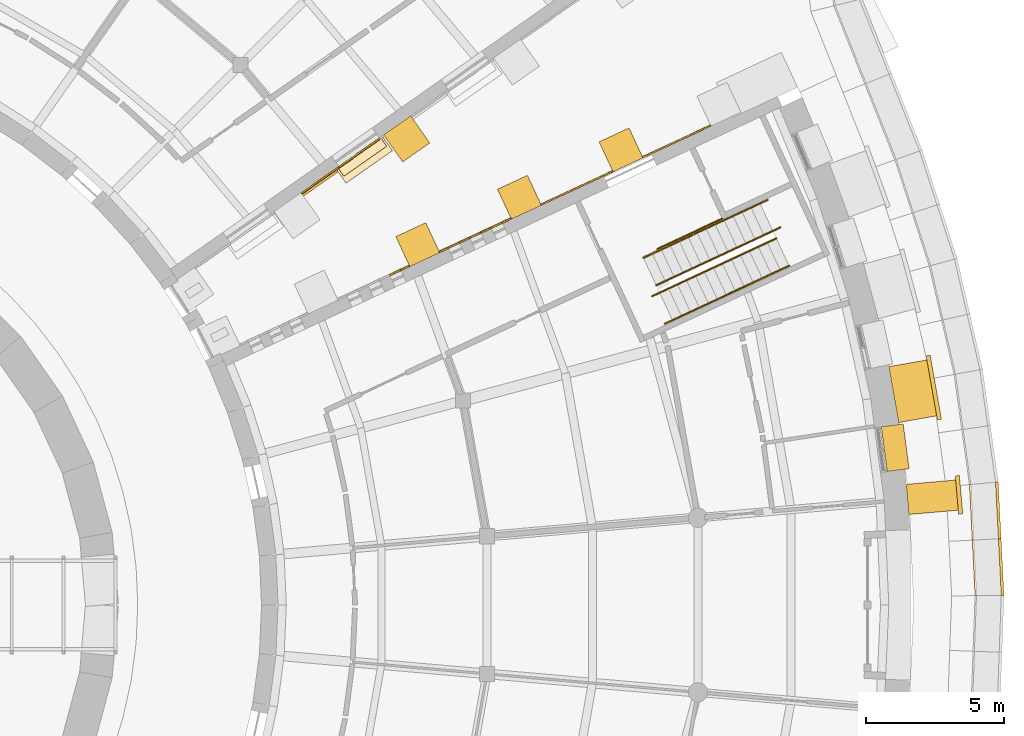
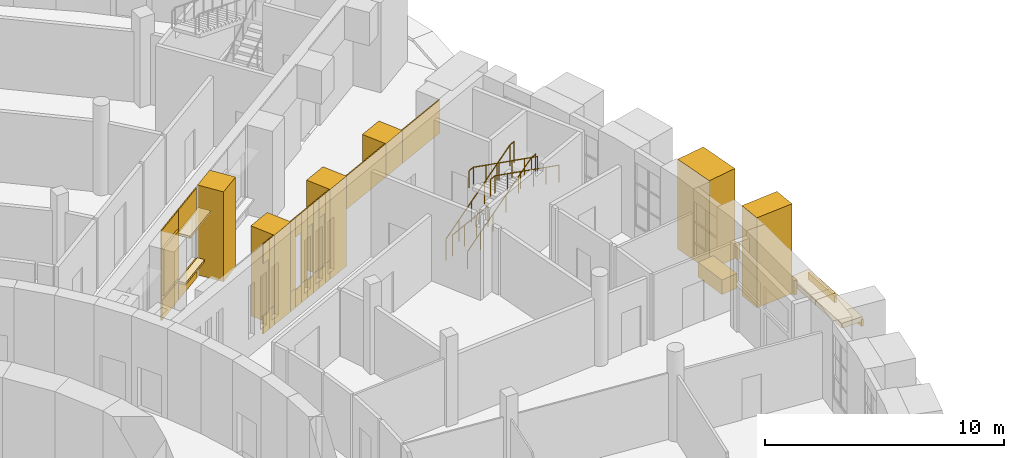
# One storey, part 74 of 85: 40 coverings, 5 railings.
"""IFC4 building model written with IfcOpenShell, lengths in metres."""

from ifc_helpers import new_model, si_unit, direction, frame, origin, origin_2d, place, context, subcontext, project, spatial, polyline, rectangle, circle, outline, extrude, material, layer, layer_set, type_object, element, save


model = new_model("IFC4")

# Units and contexts
model_context = context("Model", 3, precision=1e-05, world=origin(), true_north=direction((0.0, 1.0)))
body_context = subcontext(model_context, "Body", "Model", "MODEL_VIEW")
ifc_project = project(units=[si_unit("LENGTHUNIT", "METRE"), si_unit("AREAUNIT", "SQUARE_METRE"), si_unit("VOLUMEUNIT", "CUBIC_METRE"), si_unit("PLANEANGLEUNIT", "RADIAN"), si_unit("MASSUNIT", "GRAM", prefix="KILO")], contexts=[model_context])

# Site, building, storey
site_placement = place(None, origin())
site = spatial("IfcSite", under=ifc_project, at=site_placement, CompositionType="ELEMENT")
building_placement = place(site_placement, origin())
building = spatial("IfcBuilding", under=site, at=building_placement, Name="Volute Hill Aquarium", CompositionType="ELEMENT")
storey_placement = place(building_placement, origin())
storey = spatial("IfcBuildingStorey", under=building, at=storey_placement, Name="L01", CompositionType="ELEMENT", Elevation=0.0)

# Coverings
ifc_material_1 = material(Name="Blue limestone", Category="masonry")
covering_type_1 = type_object("IfcCoveringType", Name="Bluestone plinth block 275x750", PredefinedType="CLADDING", material=ifc_material_1)
covering_1_placement = place(storey_placement, frame((43.43359375, 5.718017578125, 0.0), z_axis=(0.0, 0.0, 1.0), x_axis=(-0.130515650214, 0.991446249198, 0.0)))
element("IfcCovering", 1, at=covering_1_placement, inside=storey, type_object=covering_type_1, Name="Bluestone plinth BPN S4 L01 7", PredefinedType="CLADDING", context=body_context, shape_type="SweptSolid", body=[
    extrude(rectangle(XDim=1.637451171875, YDim=0.800048828125, at=origin_2d()), origin(), (0.0, 0.0, 1.0), 0.75),
])
ifc_material_2 = material(Name="Blue limestone", Category="masonry")
ifc_layer_1 = layer(ifc_material_2, 0.14990234375)
ifc_layer_set_1 = layer_set([ifc_layer_1], Name="Bluestone plinth plate 150x750")
covering_type_2 = type_object("IfcCoveringType", Name="Bluestone plinth plate 150x750", PredefinedType="CLADDING", material=ifc_layer_set_1)
covering_2_placement = place(storey_placement, frame((45.75244140625, 4.002685546875, 0.0), z_axis=(0.0, 0.0, 1.0), x_axis=(-0.087155742748, 0.996194698092, 0.0)))
element("IfcCovering", 2, at=covering_2_placement, inside=storey, type_object=covering_type_2, Name="Bluestone plinth BP S4 L01 6", PredefinedType="CLADDING", context=body_context, shape_type="SweptSolid", body=[
    extrude(rectangle(XDim=1.39990234375, YDim=0.14990234375, at=origin_2d()), origin(), (0.0, 0.0, 1.0), 0.75),
])
covering_3_placement = place(storey_placement, frame((44.835693359375, 7.90576171875, 0.0), z_axis=(0.0, 0.0, 1.0), x_axis=(-0.173648177667, 0.984807753012, 0.0)))
element("IfcCovering", 3, at=covering_3_placement, inside=storey, type_object=covering_type_2, Name="Bluestone plinth BP S4 L01 7", PredefinedType="CLADDING", context=body_context, shape_type="SweptSolid", body=[
    extrude(rectangle(XDim=2.362060546875, YDim=0.14990234375, at=origin_2d()), origin(), (0.0, 0.0, 1.0), 0.75),
])
ifc_material_3 = material(Name="Aluminium", Category="aluminium")
ifc_layer_2 = layer(ifc_material_3, 0.10009765625)
ifc_layer_set_2 = layer_set([ifc_layer_2], Name="End wall plant louvre panel 100")
covering_type_3 = type_object("IfcCoveringType", Name="End wall plant louvre panel 100", PredefinedType="CLADDING", material=ifc_layer_set_2)
covering_4_placement = place(storey_placement, frame((22.517822265625, 15.33984375, 1.300048828125), z_axis=(0.0, 0.0, 1.0), x_axis=(0.819152037682, 0.573576445787, 0.0)))
element("IfcCovering", 4, at=covering_4_placement, inside=storey, type_object=covering_type_3, Name="End wall plant louvre EWV S5A L01 2", PredefinedType="CLADDING", context=body_context, shape_type="SweptSolid", body=[
    extrude(rectangle(XDim=1.51611328125, YDim=0.10009765625, at=origin_2d()), origin(), (0.0, 0.0, 1.0), 2.39990234375),
])
ifc_material_4 = material(Name="Blue limestone", Category="masonry")
ifc_layer_3 = layer(ifc_material_4, 0.06005859375)
ifc_layer_set_3 = layer_set([ifc_layer_3], Name="End wall plinth blue limestone 60")
covering_type_4 = type_object("IfcCoveringType", Name="End wall plinth blue limestone 60", PredefinedType="CLADDING", material=ifc_layer_set_3)
covering_5_placement = place(storey_placement, frame((25.064208984375, 11.96337890625, 0.0), z_axis=(0.422736919649, -0.906252446488, 0.0), x_axis=(0.906252446488, 0.422736919649, 0.0)))
element("IfcCovering", 5, at=covering_5_placement, inside=storey, type_object=covering_type_4, Name="End wall plinth EWL S4B L01 2", PredefinedType="CLADDING", context=body_context, shape_type="SweptSolid", body=[
    extrude(outline(polyline([(0.0, 0.0), (0.4498910268656508, 0.0), (0.4498910268656508, 0.89990234375), (0.0, 0.89990234375), (0.0, 0.0)])), origin(), (0.0, 0.0, -1.0), 0.06005859375),
])
covering_6_placement = place(storey_placement, frame((25.471923828125, 12.153564453125, 0.0), z_axis=(0.423076239386, -0.906094087646, 0.0), x_axis=(0.906094087646, 0.423076239386, 0.0)))
element("IfcCovering", 6, at=covering_6_placement, inside=storey, type_object=covering_type_4, Name="End wall plinth EWL S4B L01 2", PredefinedType="CLADDING", context=body_context, shape_type="SweptSolid", body=[
    extrude(outline(polyline([(0.0, 0.0), (0.3502757791130555, 0.0), (0.3502757791130555, 1.0), (0.0, 1.0), (0.0, 0.0)])), origin(), (0.0, 0.0, -1.0), 0.06005859375),
])
covering_7_placement = place(storey_placement, frame((26.876953125, 12.808837890625, 0.0), z_axis=(0.422503748493, -0.906361176634, 0.0), x_axis=(0.906361176634, 0.422503748493, 0.0)))
element("IfcCovering", 7, at=covering_7_placement, inside=storey, type_object=covering_type_4, Name="End wall plinth EWL S4B L01 3", PredefinedType="CLADDING", context=body_context, shape_type="SweptSolid", body=[
    extrude(outline(polyline([(0.0, 0.0), (0.35017255888939314, 0.0), (0.35017255888939314, 1.0), (0.0, 1.0), (0.0, 0.0)])), origin(), (0.0, 0.0, -1.0), 0.06005859375),
])
covering_8_placement = place(storey_placement, frame((27.1943359375, 12.956787109375, 0.0), z_axis=(0.422736919649, -0.906252446488, 0.0), x_axis=(0.906252446488, 0.422736919649, 0.0)))
element("IfcCovering", 8, at=covering_8_placement, inside=storey, type_object=covering_type_4, Name="End wall plinth EWL S4B L01 3", PredefinedType="CLADDING", context=body_context, shape_type="SweptSolid", body=[
    extrude(outline(polyline([(0.0, 0.0), (0.4498910268656508, 0.0), (0.4498910268656508, 0.89990234375), (0.0, 0.89990234375), (0.0, 0.0)])), origin(), (0.0, 0.0, -1.0), 0.06005859375),
])
covering_9_placement = place(storey_placement, frame((27.60205078125, 13.14697265625, 0.0), z_axis=(0.422691273525, -0.906273737502, 0.0), x_axis=(0.906273737502, 0.422691273525, 0.0)))
element("IfcCovering", 9, at=covering_9_placement, inside=storey, type_object=covering_type_4, Name="End wall plinth EWL S4B L01 3", PredefinedType="CLADDING", context=body_context, shape_type="SweptSolid", body=[
    extrude(outline(polyline([(0.0, 0.0), (0.4129740967189735, 0.0), (0.4129740967189735, 1.0), (0.0, 1.0), (0.0, 0.0)])), origin(), (0.0, 0.0, -1.0), 0.06005859375),
])
covering_10_placement = place(storey_placement, frame((27.976318359375, 13.321533203125, 0.0), z_axis=(0.422736919649, -0.906252446488, 0.0), x_axis=(0.906252446488, 0.422736919649, 0.0)))
element("IfcCovering", 10, at=covering_10_placement, inside=storey, type_object=covering_type_4, Name="End wall plinth EWL S4B L01 3", PredefinedType="CLADDING", context=body_context, shape_type="SweptSolid", body=[
    extrude(outline(polyline([(0.0, 0.0), (0.4498910268656508, 0.0), (0.4498910268656508, 0.89990234375), (0.0, 0.89990234375), (0.0, 0.0)])), origin(), (0.0, 0.0, -1.0), 0.06005859375),
])
covering_11_placement = place(storey_placement, frame((28.384033203125, 13.51171875, 0.0), z_axis=(0.42220553922, -0.906500128324, 0.0), x_axis=(0.906500128324, 0.42220553922, 0.0)))
element("IfcCovering", 11, at=covering_11_placement, inside=storey, type_object=covering_type_4, Name="End wall plinth EWL S4B L01 3", PredefinedType="CLADDING", context=body_context, shape_type="SweptSolid", body=[
    extrude(outline(polyline([(0.0, 0.0), (0.4128709598936065, 0.0), (0.4128709598936065, 1.0), (0.0, 1.0), (0.0, 0.0)])), origin(), (0.0, 0.0, -1.0), 0.06005859375),
])
covering_12_placement = place(storey_placement, frame((28.75830078125, 13.68603515625, 0.0), z_axis=(0.422736919649, -0.906252446488, 0.0), x_axis=(0.906252446488, 0.422736919649, 0.0)))
element("IfcCovering", 12, at=covering_12_placement, inside=storey, type_object=covering_type_4, Name="End wall plinth EWL S4B L01 3", PredefinedType="CLADDING", context=body_context, shape_type="SweptSolid", body=[
    extrude(outline(polyline([(0.0, 0.0), (0.4498910268656508, 0.0), (0.4498910268656508, 0.89990234375), (0.0, 0.89990234375), (0.0, 0.0)])), origin(), (0.0, 0.0, -1.0), 0.06005859375),
])
covering_13_placement = place(storey_placement, frame((29.166015625, 13.876220703125, 0.0), z_axis=(0.422503748493, -0.906361176634, 0.0), x_axis=(0.906361176634, 0.422503748493, 0.0)))
element("IfcCovering", 13, at=covering_13_placement, inside=storey, type_object=covering_type_4, Name="End wall plinth EWL S4B L01 3", PredefinedType="CLADDING", context=body_context, shape_type="SweptSolid", body=[
    extrude(outline(polyline([(0.0, 0.0), (0.35017255888939314, 0.0), (0.35017255888939314, 1.0), (0.0, 1.0), (0.0, 0.0)])), origin(), (0.0, 0.0, -1.0), 0.06005859375),
])
covering_14_placement = place(storey_placement, frame((21.873779296875, 14.937744140625, 0.0), z_axis=(0.573560689761, -0.819163069945, 0.0), x_axis=(0.819163069945, 0.573560689761, 0.0)))
element("IfcCovering", 14, at=covering_14_placement, inside=storey, type_object=covering_type_4, Name="End wall plinth EWL S5A L01 2", PredefinedType="CLADDING", context=body_context, shape_type="SweptSolid", body=[
    extrude(outline(polyline([(0.0, 0.0), (1.6660249269321943, 0.0), (1.6660249269321943, 1.0), (0.0, 1.0), (0.0, 0.0)])), origin(), (0.0, 0.0, -1.0), 0.06005859375),
])
covering_15_placement = place(storey_placement, frame((23.238525390625, 15.893310546875, 0.0), z_axis=(0.573553363558, -0.819168199548, 0.0), x_axis=(0.819168199548, 0.573553363558, 0.0)))
element("IfcCovering", 15, at=covering_15_placement, inside=storey, type_object=covering_type_4, Name="End wall plinth EWL S5A L01 2", PredefinedType="CLADDING", context=body_context, shape_type="SweptSolid", body=[
    extrude(outline(polyline([(0.0, 0.0), (1.800130151308322, 0.0), (1.800130151308322, 1.0), (0.0, 1.0), (0.0, 0.0)])), origin(), (0.0, 0.0, -1.0), 0.06005859375),
])
ifc_material_5 = material(Name="Precast concrete C40/50", Category="concrete")
covering_type_5 = type_object("IfcCoveringType", Name="End wall precast fin C40/50 1200x1200", PredefinedType="CLADDING", material=ifc_material_5)
for number, where, z_axis, x_axis, name in (
    (16, (26.07958984375, 13.098876953125, 0.0), (0.0, 0.0, 1.0), (0.906306960471, 0.422620034311, 0.0), "End wall fin EWF S4B L01 3"),
    (17, (29.773681640625, 14.821533203125, 0.0), (0.0, 0.0, 1.0), (0.906306960471, 0.422620034311, 0.0), "End wall fin EWF S4B L01 4"),
):
    element("IfcCovering", number, at=place(storey_placement, frame(where, z_axis=z_axis, x_axis=x_axis)), inside=storey, type_object=covering_type_5, Name=name, PredefinedType="CLADDING", context=body_context, shape_type="SweptSolid", body=[
        extrude(rectangle(XDim=1.199951171875, YDim=1.199951171875, at=origin_2d()), origin(), (0.0, 0.0, 1.0), 4.60009765625),
    ])
covering_16_placement = place(storey_placement, frame((33.4677734375, 16.544189453125, 2.89990234375), z_axis=(0.0, 0.0, 1.0), x_axis=(0.906306960471, 0.422620034311, 0.0)))
element("IfcCovering", 18, at=covering_16_placement, inside=storey, type_object=covering_type_5, Name="End wall fin EWF S4B L01 5", PredefinedType="CLADDING", context=body_context, shape_type="SweptSolid", body=[
    extrude(rectangle(XDim=1.199951171875, YDim=1.199951171875, at=origin_2d()), origin(), (0.0, 0.0, 1.0), 1.699951171875),
])
covering_17_placement = place(storey_placement, frame((25.677978515625, 16.9423828125, 0.0), z_axis=(0.0, 0.0, 1.0), x_axis=(0.819152037682, 0.573576445787, 0.0)))
element("IfcCovering", 19, at=covering_17_placement, inside=storey, type_object=covering_type_5, Name="End wall fin EWF S5A L01 3", PredefinedType="CLADDING", context=body_context, shape_type="SweptSolid", body=[
    extrude(rectangle(XDim=1.199951171875, YDim=1.199951171875, at=origin_2d()), origin(), (0.0, 0.0, 1.0), 4.60009765625),
])
ifc_material_6 = material(Name="Precast concrete C40/50", Category="concrete")
ifc_layer_4 = layer(ifc_material_6, 0.050048828125)
ifc_layer_set_4 = layer_set([ifc_layer_4], Name="End wall precast infill panel C40/50 50")
covering_type_6 = type_object("IfcCoveringType", Name="End wall precast infill panel C40/50 50", PredefinedType="CLADDING", material=ifc_layer_set_4)
covering_18_placement = place(storey_placement, frame((25.06396484375, 11.96337890625, 3.60009765625), z_axis=(0.422529111883, -0.90634935296, 0.0), x_axis=(0.90634935296, 0.422529111883, 0.0)))
element("IfcCovering", 20, at=covering_18_placement, inside=storey, type_object=covering_type_6, Name="End wall panel EWP S4B L01 2", PredefinedType="CLADDING", context=body_context, shape_type="SweptSolid", body=[
    extrude(outline(polyline([(0.0, 0.0), (0.4501122917366558, 0.0), (0.4501122917366558, 1.0), (0.0, 1.0), (0.0, 0.0)])), origin(), (0.0, 0.0, -1.0), 0.050048828125),
])
covering_19_placement = place(storey_placement, frame((25.471923828125, 12.153564453125, 1.0), z_axis=(0.422503748493, -0.906361176634, 0.0), x_axis=(0.906361176634, 0.422503748493, 0.0)))
element("IfcCovering", 21, at=covering_19_placement, inside=storey, type_object=covering_type_6, Name="End wall panel EWP S4B L01 2", PredefinedType="CLADDING", context=body_context, shape_type="SweptSolid", body=[
    extrude(outline(polyline([(0.0, 0.0), (0.35017255888939314, 0.0), (0.35017255888939314, 3.60009765625), (0.0, 3.60009765625), (0.0, 0.0)])), origin(), (0.0, 0.0, -1.0), 0.050048828125),
])
covering_20_placement = place(storey_placement, frame((26.876708984375, 12.80859375, 1.0), z_axis=(0.422809198631, -0.906218727214, 0.0), x_axis=(0.906218727214, 0.422809198631, 0.0)))
element("IfcCovering", 22, at=covering_20_placement, inside=storey, type_object=covering_type_6, Name="End wall panel EWP S4B L01 3", PredefinedType="CLADDING", context=body_context, shape_type="SweptSolid", body=[
    extrude(outline(polyline([(0.0, 0.0), (0.35049700870951644, 0.0), (0.35049700870951644, 3.60009765625), (0.0, 3.60009765625), (0.0, 0.0)])), origin(), (0.0, 0.0, -1.0), 0.050048828125),
])
covering_21_placement = place(storey_placement, frame((27.1943359375, 12.956787109375, 3.60009765625), z_axis=(0.422736919649, -0.906252446488, 0.0), x_axis=(0.906252446488, 0.422736919649, 0.0)))
element("IfcCovering", 23, at=covering_21_placement, inside=storey, type_object=covering_type_6, Name="End wall panel EWP S4B L01 3", PredefinedType="CLADDING", context=body_context, shape_type="SweptSolid", body=[
    extrude(outline(polyline([(0.0, 0.0), (0.4498910268656508, 0.0), (0.4498910268656508, 1.0), (0.0, 1.0), (0.0, 0.0)])), origin(), (0.0, 0.0, -1.0), 0.050048828125),
])
covering_22_placement = place(storey_placement, frame((27.60205078125, 13.14697265625, 1.0), z_axis=(0.422431964594, -0.906394635515, 0.0), x_axis=(0.906394635515, 0.422431964594, 0.0)))
element("IfcCovering", 24, at=covering_22_placement, inside=storey, type_object=covering_type_6, Name="End wall panel EWP S4B L01 3", PredefinedType="CLADDING", context=body_context, shape_type="SweptSolid", body=[
    extrude(outline(polyline([(0.0, 0.0), (0.4126496592598029, 0.0), (0.4126496592598029, 3.60009765625), (0.0, 3.60009765625), (0.0, 0.0)])), origin(), (0.0, 0.0, -1.0), 0.050048828125),
])
covering_23_placement = place(storey_placement, frame((27.97607421875, 13.3212890625, 3.60009765625), z_axis=(0.422529111883, -0.90634935296, 0.0), x_axis=(0.90634935296, 0.422529111883, 0.0)))
element("IfcCovering", 25, at=covering_23_placement, inside=storey, type_object=covering_type_6, Name="End wall panel EWP S4B L01 3", PredefinedType="CLADDING", context=body_context, shape_type="SweptSolid", body=[
    extrude(outline(polyline([(0.0, 0.0), (0.4501122917366558, 0.0), (0.4501122917366558, 1.0), (0.0, 1.0), (0.0, 0.0)])), origin(), (0.0, 0.0, -1.0), 0.050048828125),
])
covering_24_placement = place(storey_placement, frame((28.384033203125, 13.511474609375, 1.0), z_axis=(0.422917846092, -0.906168028269, 0.0), x_axis=(0.906168028269, 0.422917846092, 0.0)))
element("IfcCovering", 26, at=covering_24_placement, inside=storey, type_object=covering_type_6, Name="End wall panel EWP S4B L01 3", PredefinedType="CLADDING", context=body_context, shape_type="SweptSolid", body=[
    extrude(outline(polyline([(0.0, 0.0), (0.41275285138278023, 0.0), (0.41275285138278023, 3.60009765625), (0.0, 3.60009765625), (0.0, 0.0)])), origin(), (0.0, 0.0, -1.0), 0.050048828125),
])
covering_25_placement = place(storey_placement, frame((28.758056640625, 13.68603515625, 3.60009765625), z_axis=(0.422529111883, -0.90634935296, 0.0), x_axis=(0.90634935296, 0.422529111883, 0.0)))
element("IfcCovering", 27, at=covering_25_placement, inside=storey, type_object=covering_type_6, Name="End wall panel EWP S4B L01 3", PredefinedType="CLADDING", context=body_context, shape_type="SweptSolid", body=[
    extrude(outline(polyline([(0.0, 0.0), (0.4501122917366558, 0.0), (0.4501122917366558, 1.0), (0.0, 1.0), (0.0, 0.0)])), origin(), (0.0, 0.0, -1.0), 0.050048828125),
])
covering_26_placement = place(storey_placement, frame((29.166015625, 13.876220703125, 1.0), z_axis=(0.422503748493, -0.906361176634, 0.0), x_axis=(0.906361176634, 0.422503748493, 0.0)))
element("IfcCovering", 28, at=covering_26_placement, inside=storey, type_object=covering_type_6, Name="End wall panel EWP S4B L01 3", PredefinedType="CLADDING", context=body_context, shape_type="SweptSolid", body=[
    extrude(outline(polyline([(0.0, 0.0), (0.35017255888939314, 0.0), (0.35017255888939314, 3.60009765625), (0.0, 3.60009765625), (0.0, 0.0)])), origin(), (0.0, 0.0, -1.0), 0.050048828125),
])
covering_27_placement = place(storey_placement, frame((30.571044921875, 14.53125, 2.89990234375), z_axis=(0.42266703184, -0.906285043568, 0.0), x_axis=(0.906285043568, 0.42266703184, 0.0)))
element("IfcCovering", 29, at=covering_27_placement, inside=storey, type_object=covering_type_6, Name="End wall panel EWP S4B L01 4", PredefinedType="CLADDING", context=body_context, shape_type="SweptSolid", body=[
    extrude(outline(polyline([(0.0, 0.0), (2.875966376139245, 0.0), (2.875966376139245, 1.7001953125), (0.0, 1.7001953125), (0.0, 0.0)])), origin(), (0.0, 0.0, -1.0), 0.050048828125),
])
covering_28_placement = place(storey_placement, frame((34.26513671875, 16.25390625, 2.89990234375), z_axis=(0.422650101756, -0.906292939113, 0.0), x_axis=(0.906292939113, 0.422650101756, 0.0)))
element("IfcCovering", 30, at=covering_28_placement, inside=storey, type_object=covering_type_6, Name="End wall panel EWP S4B L01 5", PredefinedType="CLADDING", context=body_context, shape_type="SweptSolid", body=[
    extrude(outline(polyline([(0.0, 0.0), (2.7258945510421317, 0.0), (2.7258945510421317, 1.7001953125000004), (0.0, 1.7001953125000004), (0.0, 0.0)])), origin(), (0.0, 0.0, -1.0), 0.050048828125),
])
covering_29_placement = place(storey_placement, frame((21.8681640625, 14.94580078125, 1.0), z_axis=(0.573590165683, -0.819142430736, 0.0), x_axis=(0.819142430736, 0.573590165683, 0.0)))
element("IfcCovering", 31, at=covering_29_placement, inside=storey, type_object=covering_type_6, Name="End wall panel EWP S5A L01 2", PredefinedType="CLADDING", context=body_context, shape_type="SweptSolid", body=[
    extrude(outline(polyline([(0.0, 0.0), (1.6663649484601517, 0.0), (1.6663649484601517, 3.60009765625), (0.0, 3.60009765625), (0.0, 0.0)])), origin(), (0.0, 0.0, -1.0), 0.050048828125),
])
covering_30_placement = place(storey_placement, frame((23.233154296875, 15.901611328125, 3.39990234375), z_axis=(0.573617089972, -0.819123576813, 0.0), x_axis=(0.819123576813, 0.573617089972, 0.0)))
element("IfcCovering", 32, at=covering_30_placement, inside=storey, type_object=covering_type_6, Name="End wall panel EWP S5A L01 2", PredefinedType="CLADDING", context=body_context, shape_type="SweptSolid", body=[
    extrude(outline(polyline([(0.0, 0.0), (1.799930164518913, 0.0), (1.799930164518913, 1.2001953125), (0.0, 1.2001953125), (0.0, 0.0)])), origin(), (0.0, 0.0, -1.0), 0.050048828125),
])
ifc_material_7 = material(Name="Precast concrete C40/50", Category="concrete")
ifc_layer_5 = layer(ifc_material_7, 0.1201171875)
ifc_layer_set_5 = layer_set([ifc_layer_5], Name="End wall window head blade precast C40/50 600x120")
covering_type_7 = type_object("IfcCoveringType", Name="End wall window head blade precast C40/50 600x120", PredefinedType="CLADDING", material=ifc_layer_set_5)
covering_31_placement = place(storey_placement, frame((24.142333984375, 16.172119140625, 3.39990234375), z_axis=(0.0, 0.0, 1.0), x_axis=(0.819152037682, 0.573576445787, 0.0)))
element("IfcCovering", 33, at=covering_31_placement, inside=storey, type_object=covering_type_7, Name="End wall window head blade EWB S5A L01 2.1", PredefinedType="CLADDING", context=body_context, shape_type="SweptSolid", body=[
    extrude(rectangle(XDim=2.06005859375, YDim=0.60009765625, at=origin_2d()), origin(), (0.0, 0.0, 1.0), 0.1201171875),
])
ifc_material_8 = material(Name="Precast concrete C40/50", Category="concrete")
ifc_layer_6 = layer(ifc_material_8, 0.10009765625)
ifc_layer_set_6 = layer_set([ifc_layer_6], Name="End wall window sill precast C40/50 350x100")
covering_type_8 = type_object("IfcCoveringType", Name="End wall window sill precast C40/50 350x100", PredefinedType="CLADDING", material=ifc_layer_set_6)
covering_32_placement = place(storey_placement, frame((24.070556640625, 16.2744140625, 0.89990234375), z_axis=(0.0, 0.0, 1.0), x_axis=(0.819152037682, 0.573576445787, 0.0)))
element("IfcCovering", 34, at=covering_32_placement, inside=storey, type_object=covering_type_8, Name="End wall window sill EWS S5A L01 2.1", PredefinedType="CLADDING", context=body_context, shape_type="SweptSolid", body=[
    extrude(rectangle(XDim=1.89990234375, YDim=0.35009765625, at=origin_2d()), origin(), (0.0, 0.0, 1.0), 0.10009765625),
])

# Railings
ifc_material_9 = material(Name="Stainless steel 1.4301", Category="steel")
railing_type_1 = type_object("IfcRailingType", Name="Guard 1100 stainless", PredefinedType="GUARDRAIL", material=ifc_material_9)
railing_1_placement = place(storey_placement, frame((37.14501953125, 14.0439453125, 0.0)))
element("IfcRailing", 35, at=railing_1_placement, inside=storey, type_object=railing_type_1, Name="gd/S4-B/L01/edge", PredefinedType="GUARDRAIL", context=body_context, shape_type="SweptSolid", body=[
    extrude(circle(Radius=0.02392578125, at=origin_2d()), frame((0.0, 0.0, 1.076171875), z_axis=(-0.906300648467, -0.422633570115, 0.0), x_axis=(0.422633570115, -0.906300648467, 0.0)), (0.0, 0.0, 1.0), 2.60009765625),
    extrude(circle(Radius=0.02099609375, at=origin_2d()), origin(), (0.0, 0.0, 1.0), 1.052001953125),
    extrude(circle(Radius=0.02099609375, at=origin_2d()), frame((-0.785400390625, -0.3662109375, 0.0)), (0.0, 0.0, 1.0), 1.052001953125),
    extrude(circle(Radius=0.02099609375, at=origin_2d()), frame((-1.571044921875, -0.732666015625, 0.0)), (0.0, 0.0, 1.0), 1.052001953125),
    extrude(circle(Radius=0.02099609375, at=origin_2d()), frame((-2.3564453125, -1.098876953125, 0.0)), (0.0, 0.0, 1.0), 1.052001953125),
])
railing_2_placement = place(storey_placement, frame((34.278564453125, 12.619140625, 0.164306640625)))
element("IfcRailing", 36, at=railing_2_placement, inside=storey, type_object=railing_type_1, Name="gd/S4-B/L01/1", PredefinedType="GUARDRAIL", context=body_context, shape_type="SweptSolid", body=[
    extrude(circle(Radius=0.02392578125, at=origin_2d()), frame((0.0, 0.0, 1.076171875), z_axis=(0.824509460014, 0.384467342173, 0.415173473563), x_axis=(-0.42261127948, 0.906311042885, 0.0)), (0.0, 0.0, 1.0), 5.144287109375),
    extrude(circle(Radius=0.02392578125, at=origin_2d()), frame((4.241455078125, 1.977783203125, 3.2119140625), z_axis=(0.906453195831, 0.422306291415, 0.0), x_axis=(-0.422306291415, 0.906453195831, 0.0)), (0.0, 0.0, 1.0), 0.300048828125),
    extrude(circle(Radius=0.02099609375, at=origin_2d()), origin(), (0.0, 0.0, 1.0), 1.052001953125),
    extrude(circle(Radius=0.02099609375, at=origin_2d()), frame((0.848388671875, 0.3955078125, 0.42724609375)), (0.0, 0.0, 1.0), 1.052001953125),
    extrude(circle(Radius=0.02099609375, at=origin_2d()), frame((1.696533203125, 0.791015625, 0.854248046875)), (0.0, 0.0, 1.0), 1.052001953125),
    extrude(circle(Radius=0.02099609375, at=origin_2d()), frame((2.544921875, 1.186767578125, 1.281494140625)), (0.0, 0.0, 1.0), 1.052001953125),
    extrude(circle(Radius=0.02099609375, at=origin_2d()), frame((3.39306640625, 1.582275390625, 1.70849609375)), (0.0, 0.0, 1.0), 1.052001953125),
    extrude(circle(Radius=0.02099609375, at=origin_2d()), frame((4.241455078125, 1.977783203125, 2.1357421875)), (0.0, 0.0, 1.0), 1.052001953125),
    extrude(circle(Radius=0.02099609375, at=origin_2d()), frame((4.513427734375, 2.1044921875, 2.1357421875)), (0.0, 0.0, 1.0), 1.052001953125),
])
ifc_material_10 = material(Name="Stainless steel 1.4301", Category="steel")
railing_type_2 = type_object("IfcRailingType", Name="Handrail 48 stainless", PredefinedType="HANDRAIL", material=ifc_material_10)
railing_3_placement = place(storey_placement, frame((34.743408203125, 11.6220703125, 0.164306640625)))
element("IfcRailing", 37, at=railing_3_placement, inside=storey, type_object=railing_type_2, Name="hr/S4-B/L01/2", PredefinedType="HANDRAIL", context=body_context, shape_type="SweptSolid", body=[
    extrude(circle(Radius=0.02392578125, at=origin_2d()), frame((0.0, 0.0, 0.8759765625), z_axis=(0.824509610767, 0.384492740096, 0.415149653217), x_axis=(-0.422634147204, 0.906300379354, 0.0)), (0.0, 0.0, 1.0), 5.14453125),
    extrude(circle(Radius=0.02392578125, at=origin_2d()), frame((4.24169921875, 1.97802734375, 3.01171875), z_axis=(0.906307919131, 0.422617978463, 0.0), x_axis=(-0.422617978463, 0.906307919131, 0.0)), (0.0, 0.0, 1.0), 0.2998046875),
    extrude(circle(Radius=0.02099609375, at=origin_2d()), origin(), (0.0, 0.0, 1.0), 0.851806640625),
    extrude(circle(Radius=0.02099609375, at=origin_2d()), frame((0.848388671875, 0.3955078125, 0.42724609375)), (0.0, 0.0, 1.0), 0.851806640625),
    extrude(circle(Radius=0.02099609375, at=origin_2d()), frame((1.69677734375, 0.791259765625, 0.854248046875)), (0.0, 0.0, 1.0), 0.851806640625),
    extrude(circle(Radius=0.02099609375, at=origin_2d()), frame((2.544921875, 1.186767578125, 1.281494140625)), (0.0, 0.0, 1.0), 0.851806640625),
    extrude(circle(Radius=0.02099609375, at=origin_2d()), frame((3.393310546875, 1.58251953125, 1.70849609375)), (0.0, 0.0, 1.0), 0.851806640625),
    extrude(circle(Radius=0.02099609375, at=origin_2d()), frame((4.24169921875, 1.97802734375, 2.1357421875)), (0.0, 0.0, 1.0), 0.851806640625),
    extrude(circle(Radius=0.02099609375, at=origin_2d()), frame((4.513427734375, 2.104736328125, 2.1357421875)), (0.0, 0.0, 1.0), 0.851806640625),
])
railing_4_placement = place(storey_placement, frame((39.11181640625, 13.328125, 2.46435546875)))
element("IfcRailing", 38, at=railing_4_placement, inside=storey, type_object=railing_type_2, Name="hr/S4-B/L01/3", PredefinedType="HANDRAIL", context=body_context, shape_type="SweptSolid", body=[
    extrude(circle(Radius=0.02392578125, at=origin_2d()), frame((0.0, 0.0, 0.8759765625), z_axis=(-0.824494415061, -0.384507785116, 0.415165897827), x_axis=(0.422654128672, -0.906291061148, 0.0)), (0.0, 0.0, 1.0), 5.144287109375),
    extrude(circle(Radius=0.02392578125, at=origin_2d()), frame((-4.241455078125, -1.97802734375, 3.01171875), z_axis=(-0.906453195831, -0.422306291415, 0.0), x_axis=(0.422306291415, -0.906453195831, 0.0)), (0.0, 0.0, 1.0), 0.300048828125),
    extrude(circle(Radius=0.02099609375, at=origin_2d()), origin(), (0.0, 0.0, 1.0), 0.851806640625),
    extrude(circle(Radius=0.02099609375, at=origin_2d()), frame((-0.848388671875, -0.3955078125, 0.42724609375)), (0.0, 0.0, 1.0), 0.851806640625),
    extrude(circle(Radius=0.02099609375, at=origin_2d()), frame((-1.696533203125, -0.791259765625, 0.854248046875)), (0.0, 0.0, 1.0), 0.851806640625),
    extrude(circle(Radius=0.02099609375, at=origin_2d()), frame((-2.544921875, -1.186767578125, 1.281494140625)), (0.0, 0.0, 1.0), 0.851806640625),
    extrude(circle(Radius=0.02099609375, at=origin_2d()), frame((-3.39306640625, -1.58251953125, 1.70849609375)), (0.0, 0.0, 1.0), 0.851806640625),
    extrude(circle(Radius=0.02099609375, at=origin_2d()), frame((-4.241455078125, -1.97802734375, 2.1357421875)), (0.0, 0.0, 1.0), 0.851806640625),
    extrude(circle(Radius=0.02099609375, at=origin_2d()), frame((-4.513427734375, -2.104736328125, 2.1357421875)), (0.0, 0.0, 1.0), 0.851806640625),
])
railing_5_placement = place(storey_placement, frame((39.57666015625, 12.3310546875, 2.46435546875)))
element("IfcRailing", 39, at=railing_5_placement, inside=storey, type_object=railing_type_2, Name="hr/S4-B/L01/4", PredefinedType="HANDRAIL", context=body_context, shape_type="SweptSolid", body=[
    extrude(circle(Radius=0.02392578125, at=origin_2d()), frame((0.0, 0.0, 0.8759765625), z_axis=(-0.824509460014, -0.384467342173, 0.415173473563), x_axis=(0.42261127948, -0.906311042885, 0.0)), (0.0, 0.0, 1.0), 5.144287109375),
    extrude(circle(Radius=0.02392578125, at=origin_2d()), frame((-4.241455078125, -1.977783203125, 3.01171875), z_axis=(-0.906453195831, -0.422306291415, 0.0), x_axis=(0.422306291415, -0.906453195831, 0.0)), (0.0, 0.0, 1.0), 0.300048828125),
    extrude(circle(Radius=0.02099609375, at=origin_2d()), origin(), (0.0, 0.0, 1.0), 0.851806640625),
    extrude(circle(Radius=0.02099609375, at=origin_2d()), frame((-0.848388671875, -0.3955078125, 0.42724609375)), (0.0, 0.0, 1.0), 0.851806640625),
    extrude(circle(Radius=0.02099609375, at=origin_2d()), frame((-1.696533203125, -0.791015625, 0.854248046875)), (0.0, 0.0, 1.0), 0.851806640625),
    extrude(circle(Radius=0.02099609375, at=origin_2d()), frame((-2.544921875, -1.186767578125, 1.281494140625)), (0.0, 0.0, 1.0), 0.851806640625),
    extrude(circle(Radius=0.02099609375, at=origin_2d()), frame((-3.39306640625, -1.582275390625, 1.70849609375)), (0.0, 0.0, 1.0), 0.851806640625),
    extrude(circle(Radius=0.02099609375, at=origin_2d()), frame((-4.241455078125, -1.977783203125, 2.1357421875)), (0.0, 0.0, 1.0), 0.851806640625),
    extrude(circle(Radius=0.02099609375, at=origin_2d()), frame((-4.513427734375, -2.1044921875, 2.1357421875)), (0.0, 0.0, 1.0), 0.851806640625),
])

# Coverings
ifc_material_11 = material(Name="Precast concrete C40/50", Category="concrete")
ifc_layer_7 = layer(ifc_material_11, 0.25)
ifc_layer_set_7 = layer_set([ifc_layer_7], Name="Plinth coping precast concrete C40/50 1000")
covering_type_9 = type_object("IfcCoveringType", Name="Plinth coping precast concrete C40/50 1000", PredefinedType="CLADDING", material=ifc_layer_set_7)
covering_33_placement = place(storey_placement, frame((0.0, 0.0, -0.10009765625)))
element("IfcCovering", 40, at=covering_33_placement, inside=storey, type_object=covering_type_9, Name="cp/E49UP/L01/0", PredefinedType="CLADDING", context=body_context, shape_type="SweptSolid", body=[
    extrude(outline(polyline([(47.337890625, 0.34716796875), (47.232666015625, 2.409423828125), (46.23388671875, 2.3583984375), (46.3369140625, 0.33984375), (46.3369140625, 0.33984375), (47.337890625, 0.34716796875)])), origin(), (0.0, 0.0, 1.0), 0.25),
])
covering_34_placement = place(storey_placement, frame((0.0, 0.0, -0.10009765625)))
element("IfcCovering", 41, at=covering_34_placement, inside=storey, type_object=covering_type_9, Name="cp/E49UP/L01/1", PredefinedType="CLADDING", context=body_context, shape_type="SweptSolid", body=[
    extrude(outline(polyline([(47.232666015625, 2.409423828125), (47.12744140625, 4.4716796875), (46.131103515625, 4.377197265625), (46.23388671875, 2.3583984375), (47.232666015625, 2.409423828125)])), origin(), (0.0, 0.0, 1.0), 0.25),
])
ifc_material_12 = material(Name="Precast concrete C40/50", Category="concrete")
covering_type_10 = type_object("IfcCoveringType", Name="Projecting pier precast concrete C40/50 1100x1800", PredefinedType="CLADDING", material=ifc_material_12)
covering_35_placement = place(storey_placement, frame((44.78125, 3.917724609375, 0.0), z_axis=(0.0, 0.0, 1.0), x_axis=(-0.087155742748, 0.996194698092, 0.0)))
element("IfcCovering", 42, at=covering_35_placement, inside=storey, type_object=covering_type_10, Name="Projecting pier PP S4 L01 6", PredefinedType="CLADDING", context=body_context, shape_type="SweptSolid", body=[
    extrude(rectangle(XDim=1.10009765625, YDim=1.800048828125, at=origin_2d()), origin(), (0.0, 0.0, 1.0), 4.60009765625),
])
ifc_material_13 = material(Name="Precast concrete C40/50", Category="concrete")
covering_type_11 = type_object("IfcCoveringType", Name="Projecting pier precast concrete C40/50 2062x1400", PredefinedType="CLADDING", material=ifc_material_13)
covering_36_placement = place(storey_placement, frame((44.072509765625, 7.77099609375, 0.0), z_axis=(0.0, 0.0, 1.0), x_axis=(-0.173648177667, 0.984807753012, 0.0)))
element("IfcCovering", 43, at=covering_36_placement, inside=storey, type_object=covering_type_11, Name="Projecting pier PP S4 L01 7", PredefinedType="CLADDING", context=body_context, shape_type="SweptSolid", body=[
    extrude(rectangle(XDim=2.06201171875, YDim=1.39990234375, at=origin_2d()), origin(), (0.0, 0.0, 1.0), 4.60009765625),
])
ifc_material_14 = material(Name="Precast concrete C40/50", Category="concrete")
ifc_layer_8 = layer(ifc_material_14, 0.10009765625)
ifc_layer_set_8 = layer_set([ifc_layer_8], Name="Retained ground face precast concrete C40/50 100")
covering_type_12 = type_object("IfcCoveringType", Name="Retained ground face precast concrete C40/50 100", PredefinedType="CLADDING", material=ifc_layer_set_8)
covering_37_placement = place(storey_placement, frame((0.0, 0.0, -0.35009765625)))
element("IfcCovering", 44, at=covering_37_placement, inside=storey, type_object=covering_type_12, Name="tg/E49UP/L01/0", PredefinedType="CLADDING", context=body_context, shape_type="SweptSolid", body=[
    extrude(outline(polyline([(47.387939453125, 0.347412109375), (47.28271484375, 2.411865234375), (47.182861328125, 2.40673828125), (47.287841796875, 0.3466796875), (47.387939453125, 0.347412109375)])), origin(), (0.0, 0.0, 1.0), 0.35009765625),
])
covering_38_placement = place(storey_placement, frame((0.0, 0.0, -0.35009765625)))
element("IfcCovering", 45, at=covering_38_placement, inside=storey, type_object=covering_type_12, Name="tg/E49UP/L01/1", PredefinedType="CLADDING", context=body_context, shape_type="SweptSolid", body=[
    extrude(outline(polyline([(47.28271484375, 2.411865234375), (47.17724609375, 4.476318359375), (47.07763671875, 4.467041015625), (47.182861328125, 2.40673828125), (47.28271484375, 2.411865234375)])), origin(), (0.0, 0.0, 1.0), 0.35009765625),
])

save(model, "model.ifc")
